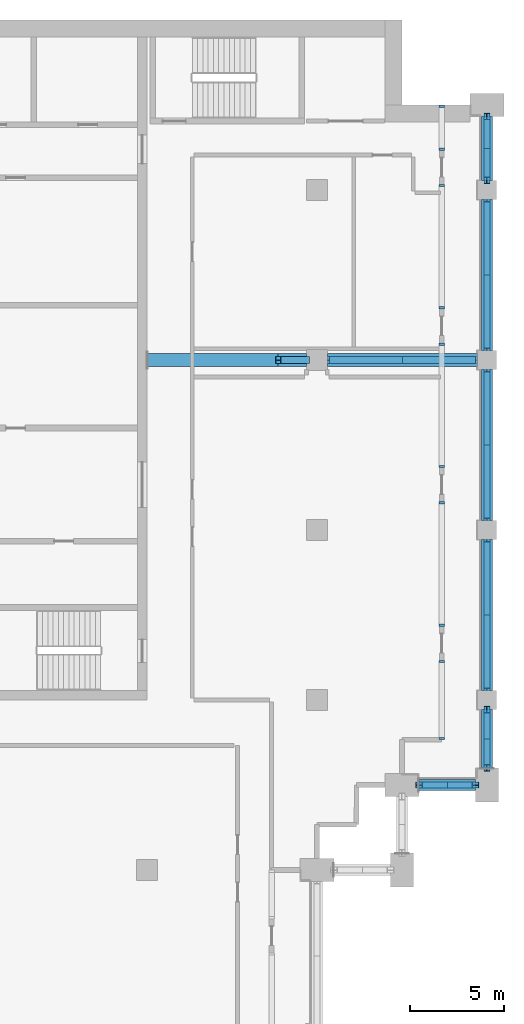
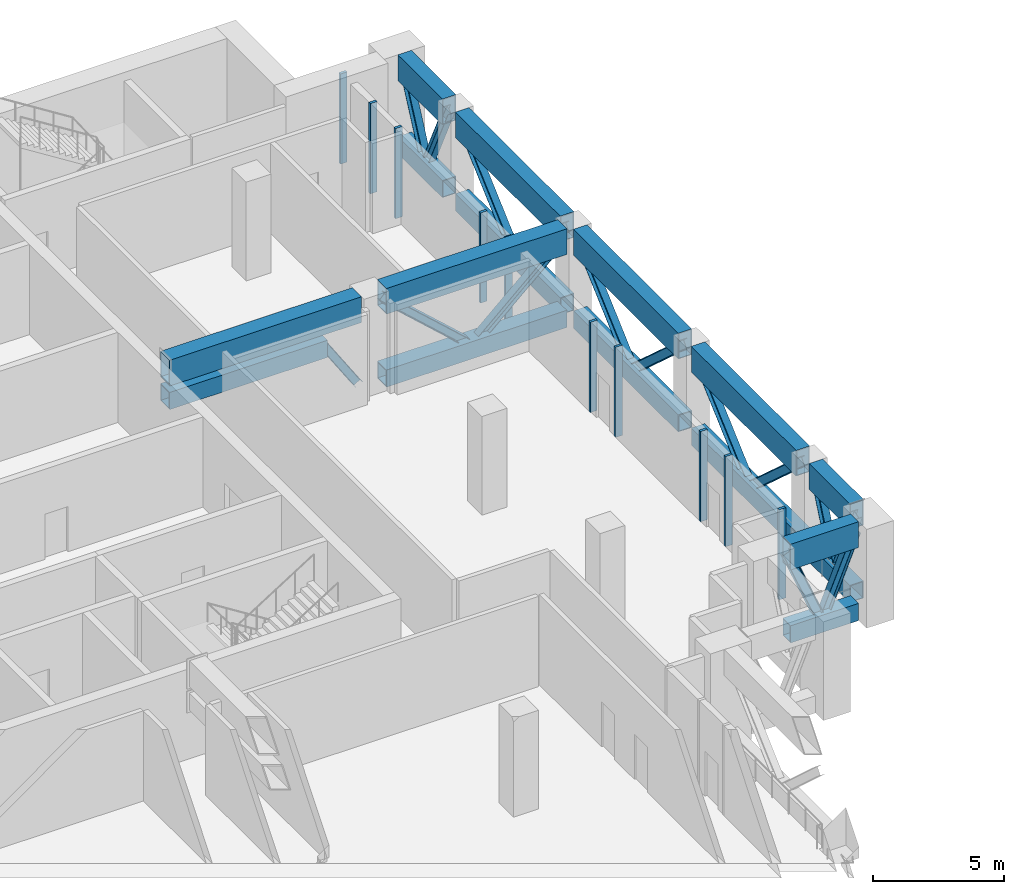
# One storey, part 3 of 16: 41 members.
"""IFC4 building model written with IfcOpenShell, lengths in metres."""

from ifc_helpers import new_model, si_unit, direction, frame, origin, origin_2d, place, context, subcontext, project, spatial, rectangle, hollow_rectangle, i_section, extrude, material, material_profile, profile_set, type_object, element, save


model = new_model("IFC4")

# Units and contexts
model_context = context("Model", 3, precision=1e-05, world=origin(), true_north=direction((0.0, 1.0)))
body_context = subcontext(model_context, "Body", "Model", "MODEL_VIEW")
ifc_project = project(units=[si_unit("LENGTHUNIT", "METRE"), si_unit("AREAUNIT", "SQUARE_METRE"), si_unit("VOLUMEUNIT", "CUBIC_METRE"), si_unit("PLANEANGLEUNIT", "RADIAN"), si_unit("MASSUNIT", "GRAM", prefix="KILO")], contexts=[model_context])

# Site, building, storey
site_placement = place(None, origin())
site = spatial("IfcSite", under=ifc_project, at=site_placement, CompositionType="ELEMENT")
building_placement = place(site_placement, origin())
building = spatial("IfcBuilding", under=site, at=building_placement, Name="Hunhe Ridgeline Campus", CompositionType="ELEMENT")
storey_placement = place(building_placement, frame((0.0, 0.0, 227.199951171875)))
storey = spatial("IfcBuildingStorey", under=building, at=storey_placement, Name="L58", CompositionType="ELEMENT", Elevation=227.199951171875)

# Members
ifc_material_1 = material(Name="Steel Q420", Category="steel")
ifc_material_profile_1 = material_profile(ifc_material_1, hollow_rectangle(XDim=0.60009765625, YDim=0.800048828125, WallThickness=0.031982421875, at=origin_2d()))
ifc_profile_set_1 = profile_set([ifc_material_profile_1], Name="Steel Q420")
member_type_1 = type_object("IfcMemberType", Name="Belt truss bottom chord Box 800x600x32 Steel Q420", PredefinedType="CHORD", material=ifc_profile_set_1)
member_1_placement = place(storey_placement, frame((50.39990234375, 58.5, 0.400146484375), z_axis=(1.0, 0.0, 0.0), x_axis=(0.0, 1.0, 0.0)))
element("IfcMember", 1, at=member_1_placement, inside=storey, type_object=member_type_1, Name="Belt truss BT1 bottom chord L58 46", PredefinedType="CHORD", context=body_context, shape_type="SweptSolid", body=[
    extrude(hollow_rectangle(XDim=0.60009765625, YDim=0.800048828125, WallThickness=0.031982421875, at=origin_2d()), origin(), (0.0, 0.0, 1.0), 3.0),
])
member_2_placement = place(storey_placement, frame((54.0, 59.39990234375, 0.400146484375), z_axis=(0.0, 1.0, 0.0), x_axis=(-1.0, 0.0, 0.0)))
element("IfcMember", 2, at=member_2_placement, inside=storey, type_object=member_type_1, Name="Belt truss BT1 bottom chord L58 50", PredefinedType="CHORD", context=body_context, shape_type="SweptSolid", body=[
    extrude(hollow_rectangle(XDim=0.60009765625, YDim=0.800048828125, WallThickness=0.031982421875, at=origin_2d()), origin(), (0.0, 0.0, 1.0), 3.10009765625),
])
for number, where, z_axis, x_axis, name in (
    (3, (54.0, 63.5, 0.400146484375), (0.0, 1.0, 0.0), (-1.0, 0.0, 0.0), "Belt truss BT1 bottom chord L58 54"),
    (4, (54.0, 72.5, 0.400146484375), (0.0, 1.0, 0.0), (-1.0, 0.0, 0.0), "Belt truss BT1 bottom chord L58 58"),
    (5, (54.0, 81.5, 0.400146484375), (0.0, 1.0, 0.0), (-1.0, 0.0, 0.0), "Belt truss BT1 bottom chord L58 62"),
):
    element("IfcMember", number, at=place(storey_placement, frame(where, z_axis=z_axis, x_axis=x_axis)), inside=storey, type_object=member_type_1, Name=name, PredefinedType="CHORD", context=body_context, shape_type="SweptSolid", body=[
        extrude(hollow_rectangle(XDim=0.60009765625, YDim=0.800048828125, WallThickness=0.031982421875, at=origin_2d()), origin(), (0.0, 0.0, 1.0), 8.0),
    ])
member_3_placement = place(storey_placement, frame((54.0, 90.5, 0.400146484375), z_axis=(0.0, 1.0, 0.0), x_axis=(-1.0, 0.0, 0.0)))
element("IfcMember", 6, at=member_3_placement, inside=storey, type_object=member_type_1, Name="Belt truss BT1 bottom chord L58 66", PredefinedType="CHORD", context=body_context, shape_type="SweptSolid", body=[
    extrude(hollow_rectangle(XDim=0.60009765625, YDim=0.800048828125, WallThickness=0.031982421875, at=origin_2d()), origin(), (0.0, 0.0, 1.0), 3.39990234375),
])
ifc_material_profile_2 = material_profile(ifc_material_1, i_section(OverallWidth=0.300048828125, OverallDepth=0.389892578125, WebThickness=0.010009765625, FlangeThickness=0.01611328125, FilletRadius=0.012939453125, at=origin_2d()))
ifc_profile_set_2 = profile_set([ifc_material_profile_2], Name="Steel Q420")
member_type_2 = type_object("IfcMemberType", Name="Belt truss diagonal HM390x300x10x16 Steel Q420", PredefinedType="BRACE", material=ifc_profile_set_2)
for number, where, z_axis, x_axis, name in (
    (7, (50.39990234375, 58.5, 4.0), (0.384628719983, 0.0, -0.923071366561), (0.0, 1.0, 0.0), "Belt truss BT1 diagonal L58 47"),
    (8, (51.89990234375, 58.5, 0.400146484375), (0.384628719983, 0.0, 0.923071366561), (0.0, 1.0, 0.0), "Belt truss BT1 diagonal L58 48"),
):
    element("IfcMember", number, at=place(storey_placement, frame(where, z_axis=z_axis, x_axis=x_axis)), inside=storey, type_object=member_type_2, Name=name, PredefinedType="BRACE", context=body_context, shape_type="SweptSolid", body=[
        extrude(i_section(OverallWidth=0.300048828125, OverallDepth=0.389892578125, WebThickness=0.010009765625, FlangeThickness=0.01611328125, FilletRadius=0.012939453125, at=origin_2d()), origin(), (0.0, 0.0, 1.0), 3.89990234375),
    ])
for number, where, z_axis, x_axis, name in (
    (9, (54.0, 59.39990234375, 4.0), (0.0, 0.395482435065, -0.918473539932), (-1.0, 0.0, 0.0), "Belt truss BT1 diagonal L58 51"),
    (10, (54.0, 60.949951171875, 0.400146484375), (0.0, 0.395482435065, 0.918473539932), (-1.0, 0.0, 0.0), "Belt truss BT1 diagonal L58 52"),
):
    element("IfcMember", number, at=place(storey_placement, frame(where, z_axis=z_axis, x_axis=x_axis)), inside=storey, type_object=member_type_2, Name=name, PredefinedType="BRACE", context=body_context, shape_type="SweptSolid", body=[
        extrude(i_section(OverallWidth=0.300048828125, OverallDepth=0.389892578125, WebThickness=0.010009765625, FlangeThickness=0.01611328125, FilletRadius=0.012939453125, at=origin_2d()), origin(), (0.0, 0.0, 1.0), 3.91943359375),
    ])
for number, where, z_axis, x_axis, name in (
    (11, (54.0, 63.5, 4.0), (0.0, 0.74330768127, -0.668949692402), (-1.0, 0.0, 0.0), "Belt truss BT1 diagonal L58 55"),
    (12, (54.0, 67.5, 0.400146484375), (0.0, 0.74330768127, 0.668949692402), (-1.0, 0.0, 0.0), "Belt truss BT1 diagonal L58 56"),
    (13, (54.0, 72.5, 4.0), (0.0, 0.74330768127, -0.668949692402), (-1.0, 0.0, 0.0), "Belt truss BT1 diagonal L58 59"),
    (14, (54.0, 76.5, 0.400146484375), (0.0, 0.74330768127, 0.668949692402), (-1.0, 0.0, 0.0), "Belt truss BT1 diagonal L58 60"),
    (15, (54.0, 81.5, 4.0), (0.0, 0.74330768127, -0.668949692402), (-1.0, 0.0, 0.0), "Belt truss BT1 diagonal L58 63"),
    (16, (54.0, 85.5, 0.400146484375), (0.0, 0.74330768127, 0.668949692402), (-1.0, 0.0, 0.0), "Belt truss BT1 diagonal L58 64"),
):
    element("IfcMember", number, at=place(storey_placement, frame(where, z_axis=z_axis, x_axis=x_axis)), inside=storey, type_object=member_type_2, Name=name, PredefinedType="BRACE", context=body_context, shape_type="SweptSolid", body=[
        extrude(i_section(OverallWidth=0.300048828125, OverallDepth=0.389892578125, WebThickness=0.010009765625, FlangeThickness=0.01611328125, FilletRadius=0.012939453125, at=origin_2d()), origin(), (0.0, 0.0, 1.0), 5.38134765625),
    ])
for number, where, z_axis, x_axis, name in (
    (17, (54.0, 90.5, 4.0), (0.0, 0.427010484059, -0.904246673482), (-1.0, 0.0, 0.0), "Belt truss BT1 diagonal L58 67"),
    (18, (54.0, 92.199951171875, 0.400146484375), (0.0, 0.427010484059, 0.904246673482), (-1.0, 0.0, 0.0), "Belt truss BT1 diagonal L58 68"),
):
    element("IfcMember", number, at=place(storey_placement, frame(where, z_axis=z_axis, x_axis=x_axis)), inside=storey, type_object=member_type_2, Name=name, PredefinedType="BRACE", context=body_context, shape_type="SweptSolid", body=[
        extrude(i_section(OverallWidth=0.300048828125, OverallDepth=0.389892578125, WebThickness=0.010009765625, FlangeThickness=0.01611328125, FilletRadius=0.012939453125, at=origin_2d()), origin(), (0.0, 0.0, 1.0), 3.98095703125),
    ])
ifc_material_profile_3 = material_profile(ifc_material_1, hollow_rectangle(XDim=0.60009765625, YDim=1.199951171875, WallThickness=0.031982421875, at=origin_2d()))
ifc_profile_set_3 = profile_set([ifc_material_profile_3], Name="Steel Q420")
member_type_3 = type_object("IfcMemberType", Name="Belt truss top chord Box 1200x600x32 Steel Q420", PredefinedType="CHORD", material=ifc_profile_set_3)
member_4_placement = place(storey_placement, frame((50.39990234375, 58.5, 4.0), z_axis=(1.0, 0.0, 0.0), x_axis=(0.0, 1.0, 0.0)))
element("IfcMember", 19, at=member_4_placement, inside=storey, type_object=member_type_3, Name="Belt truss BT1 top chord L58 45", PredefinedType="CHORD", context=body_context, shape_type="SweptSolid", body=[
    extrude(hollow_rectangle(XDim=0.60009765625, YDim=1.199951171875, WallThickness=0.031982421875, at=origin_2d()), origin(), (0.0, 0.0, 1.0), 3.0),
])
member_5_placement = place(storey_placement, frame((54.0, 59.39990234375, 4.0), z_axis=(0.0, 1.0, 0.0), x_axis=(-1.0, 0.0, 0.0)))
element("IfcMember", 20, at=member_5_placement, inside=storey, type_object=member_type_3, Name="Belt truss BT1 top chord L58 49", PredefinedType="CHORD", context=body_context, shape_type="SweptSolid", body=[
    extrude(hollow_rectangle(XDim=0.60009765625, YDim=1.199951171875, WallThickness=0.031982421875, at=origin_2d()), origin(), (0.0, 0.0, 1.0), 3.10009765625),
])
for number, where, z_axis, x_axis, name in (
    (21, (54.0, 63.5, 4.0), (0.0, 1.0, 0.0), (-1.0, 0.0, 0.0), "Belt truss BT1 top chord L58 53"),
    (22, (54.0, 72.5, 4.0), (0.0, 1.0, 0.0), (-1.0, 0.0, 0.0), "Belt truss BT1 top chord L58 57"),
    (23, (54.0, 81.5, 4.0), (0.0, 1.0, 0.0), (-1.0, 0.0, 0.0), "Belt truss BT1 top chord L58 61"),
):
    element("IfcMember", number, at=place(storey_placement, frame(where, z_axis=z_axis, x_axis=x_axis)), inside=storey, type_object=member_type_3, Name=name, PredefinedType="CHORD", context=body_context, shape_type="SweptSolid", body=[
        extrude(hollow_rectangle(XDim=0.60009765625, YDim=1.199951171875, WallThickness=0.031982421875, at=origin_2d()), origin(), (0.0, 0.0, 1.0), 8.0),
    ])
member_6_placement = place(storey_placement, frame((54.0, 90.5, 4.0), z_axis=(0.0, 1.0, 0.0), x_axis=(-1.0, 0.0, 0.0)))
element("IfcMember", 24, at=member_6_placement, inside=storey, type_object=member_type_3, Name="Belt truss BT1 top chord L58 65", PredefinedType="CHORD", context=body_context, shape_type="SweptSolid", body=[
    extrude(hollow_rectangle(XDim=0.60009765625, YDim=1.199951171875, WallThickness=0.031982421875, at=origin_2d()), origin(), (0.0, 0.0, 1.0), 3.39990234375),
])
ifc_material_2 = material(Name="Aluminium 6063", Category="aluminium")
ifc_material_profile_4 = material_profile(ifc_material_2, rectangle(XDim=0.300048828125, YDim=0.1201171875, at=origin_2d()))
ifc_profile_set_4 = profile_set([ifc_material_profile_4], Name="Aluminium 6063")
member_type_4 = type_object("IfcMemberType", Name="Louvre frame jamb 120x300 Aluminium 6063", PredefinedType="USERDEFINED", material=ifc_profile_set_4)
for number, where, z_axis, x_axis, name in (
    (25, (51.59912109375, 60.9609375, 0.0), (0.0, 0.0, 1.0), (-1.0, 0.0, 0.0), "Louvre frame jamb 18a"),
    (26, (51.59912109375, 65.040771484375, 0.0), (0.0, 0.0, 1.0), (-1.0, 0.0, 0.0), "Louvre frame jamb 18b"),
    (27, (51.59912109375, 66.9609375, 0.0), (0.0, 0.0, 1.0), (-1.0, 0.0, 0.0), "Louvre frame jamb 19a"),
    (28, (51.59912109375, 73.440673828125, 0.0), (0.0, 0.0, 1.0), (-1.0, 0.0, 0.0), "Louvre frame jamb 19b"),
    (29, (51.59912109375, 75.360595703125, 0.0), (0.0, 0.0, 1.0), (-1.0, 0.0, 0.0), "Louvre frame jamb 20a"),
    (30, (51.59912109375, 81.84033203125, 0.0), (0.0, 0.0, 1.0), (-1.0, 0.0, 0.0), "Louvre frame jamb 20b"),
    (31, (51.59912109375, 83.76025390625, 0.0), (0.0, 0.0, 1.0), (-1.0, 0.0, 0.0), "Louvre frame jamb 21a"),
    (32, (51.59912109375, 90.240234375, 0.0), (0.0, 0.0, 1.0), (-1.0, 0.0, 0.0), "Louvre frame jamb 21b"),
    (33, (51.59912109375, 92.16015625, 0.0), (0.0, 0.0, 1.0), (-1.0, 0.0, 0.0), "Louvre frame jamb 22a"),
    (34, (51.59912109375, 94.43994140625, 0.0), (0.0, 0.0, 1.0), (-1.0, 0.0, 0.0), "Louvre frame jamb 22b"),
):
    element("IfcMember", number, at=place(storey_placement, frame(where, z_axis=z_axis, x_axis=x_axis)), inside=storey, type_object=member_type_4, Name=name, ObjectType="LOUVRE FRAME", PredefinedType="USERDEFINED", context=body_context, shape_type="SweptSolid", body=[
        extrude(rectangle(XDim=0.300048828125, YDim=0.1201171875, at=origin_2d()), origin(), (0.0, 0.0, 1.0), 4.199951171875),
    ])
ifc_material_profile_5 = material_profile(ifc_material_1, hollow_rectangle(XDim=0.699951171875, YDim=0.800048828125, WallThickness=0.0400390625, at=origin_2d()))
ifc_profile_set_5 = profile_set([ifc_material_profile_5], Name="Steel Q420")
member_type_5 = type_object("IfcMemberType", Name="Outrigger truss bottom chord Box 800x700x40 Steel Q420", PredefinedType="CHORD", material=ifc_profile_set_5)
member_7_placement = place(storey_placement, frame((36.0, 81.0, 2.699951171875), z_axis=(1.0, 0.0, 0.0), x_axis=(0.0, 1.0, 0.0)))
element("IfcMember", 35, at=member_7_placement, inside=storey, type_object=member_type_5, Name="Outrigger truss OR1 bottom chord L58 2", PredefinedType="CHORD", context=body_context, shape_type="SweptSolid", body=[
    extrude(hollow_rectangle(XDim=0.699951171875, YDim=0.800048828125, WallThickness=0.0400390625, at=origin_2d()), origin(), (0.0, 0.0, 1.0), 6.949951171875),
])
member_8_placement = place(storey_placement, frame((45.550048828125, 81.0, 0.400146484375), z_axis=(1.0, 0.0, 0.0), x_axis=(0.0, 1.0, 0.0)))
element("IfcMember", 36, at=member_8_placement, inside=storey, type_object=member_type_5, Name="Outrigger truss OR1 bottom chord L58 5", PredefinedType="CHORD", context=body_context, shape_type="SweptSolid", body=[
    extrude(hollow_rectangle(XDim=0.699951171875, YDim=0.800048828125, WallThickness=0.0400390625, at=origin_2d()), origin(), (0.0, 0.0, 1.0), 7.949951171875),
])
ifc_material_profile_6 = material_profile(ifc_material_1, i_section(OverallWidth=0.35009765625, OverallDepth=0.35009765625, WebThickness=0.011962890625, FlangeThickness=0.01904296875, FilletRadius=0.012939453125, at=origin_2d()))
ifc_profile_set_6 = profile_set([ifc_material_profile_6], Name="Steel Q420")
member_type_6 = type_object("IfcMemberType", Name="Outrigger truss diagonal HW350x350x12x19 Steel Q420", PredefinedType="BRACE", material=ifc_profile_set_6)
member_9_placement = place(storey_placement, frame((42.949951171875, 81.0, 2.699951171875), z_axis=(0.546300327661, 0.0, -0.837589369558), x_axis=(0.0, 1.0, 0.0)))
element("IfcMember", 37, at=member_9_placement, inside=storey, type_object=member_type_6, Name="Outrigger truss OR1 knee brace L58 3", PredefinedType="BRACE", context=body_context, shape_type="SweptSolid", body=[
    extrude(i_section(OverallWidth=0.35009765625, OverallDepth=0.35009765625, WebThickness=0.011962890625, FlangeThickness=0.01904296875, FilletRadius=0.012939453125, at=origin_2d()), origin(), (0.0, 0.0, 1.0), 2.745849609375),
])
for number, where, z_axis, x_axis, name in (
    (38, (45.550048828125, 81.0, 4.0), (0.74120565569, 0.0, -0.6712780169), (0.0, 1.0, 0.0), "Outrigger truss OR1 diagonal L58 6"),
    (39, (49.52490234375, 81.0, 0.400146484375), (0.741226169225, 0.0, 0.671255365755), (0.0, 1.0, 0.0), "Outrigger truss OR1 diagonal L58 7"),
):
    element("IfcMember", number, at=place(storey_placement, frame(where, z_axis=z_axis, x_axis=x_axis)), inside=storey, type_object=member_type_6, Name=name, PredefinedType="BRACE", context=body_context, shape_type="SweptSolid", body=[
        extrude(i_section(OverallWidth=0.35009765625, OverallDepth=0.35009765625, WebThickness=0.011962890625, FlangeThickness=0.01904296875, FilletRadius=0.012939453125, at=origin_2d()), origin(), (0.0, 0.0, 1.0), 5.36279296875),
    ])
ifc_material_profile_7 = material_profile(ifc_material_1, hollow_rectangle(XDim=0.699951171875, YDim=1.199951171875, WallThickness=0.0400390625, at=origin_2d()))
ifc_profile_set_7 = profile_set([ifc_material_profile_7], Name="Steel Q420")
member_type_7 = type_object("IfcMemberType", Name="Outrigger truss top chord Box 1200x700x40 Steel Q420", PredefinedType="CHORD", material=ifc_profile_set_7)
member_10_placement = place(storey_placement, frame((36.0, 81.0, 4.0), z_axis=(1.0, 0.0, 0.0), x_axis=(0.0, 1.0, 0.0)))
element("IfcMember", 40, at=member_10_placement, inside=storey, type_object=member_type_7, Name="Outrigger truss OR1 top chord L58 1", PredefinedType="CHORD", context=body_context, shape_type="SweptSolid", body=[
    extrude(hollow_rectangle(XDim=0.699951171875, YDim=1.199951171875, WallThickness=0.0400390625, at=origin_2d()), origin(), (0.0, 0.0, 1.0), 8.449951171875),
])
member_11_placement = place(storey_placement, frame((45.550048828125, 81.0, 4.0), z_axis=(1.0, 0.0, 0.0), x_axis=(0.0, 1.0, 0.0)))
element("IfcMember", 41, at=member_11_placement, inside=storey, type_object=member_type_7, Name="Outrigger truss OR1 top chord L58 4", PredefinedType="CHORD", context=body_context, shape_type="SweptSolid", body=[
    extrude(hollow_rectangle(XDim=0.699951171875, YDim=1.199951171875, WallThickness=0.0400390625, at=origin_2d()), origin(), (0.0, 0.0, 1.0), 7.949951171875),
])

save(model, "model.ifc")
